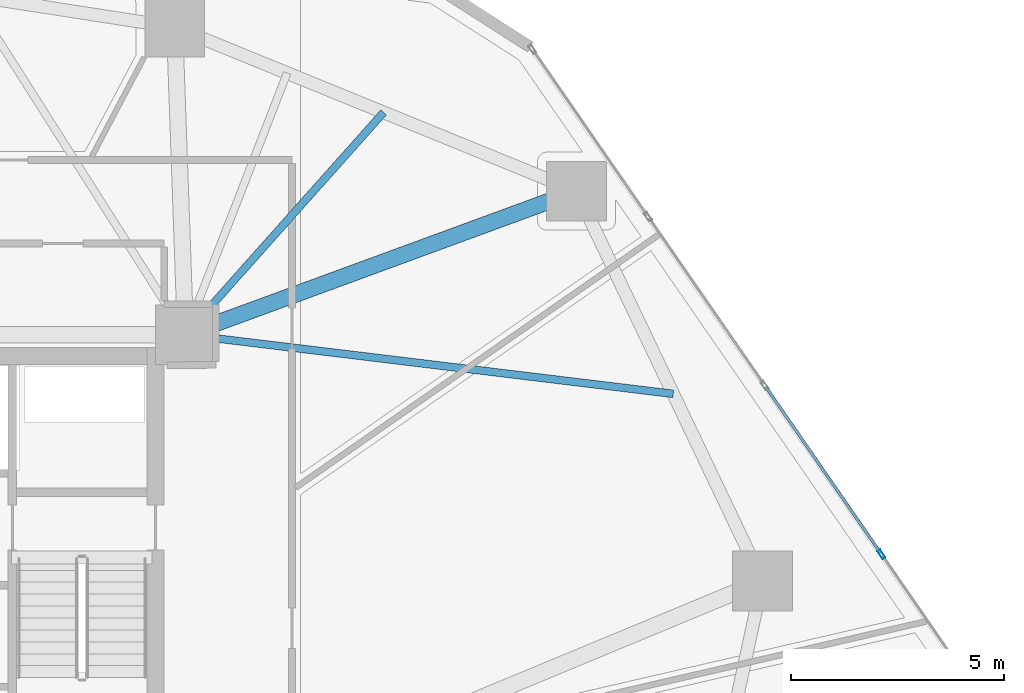
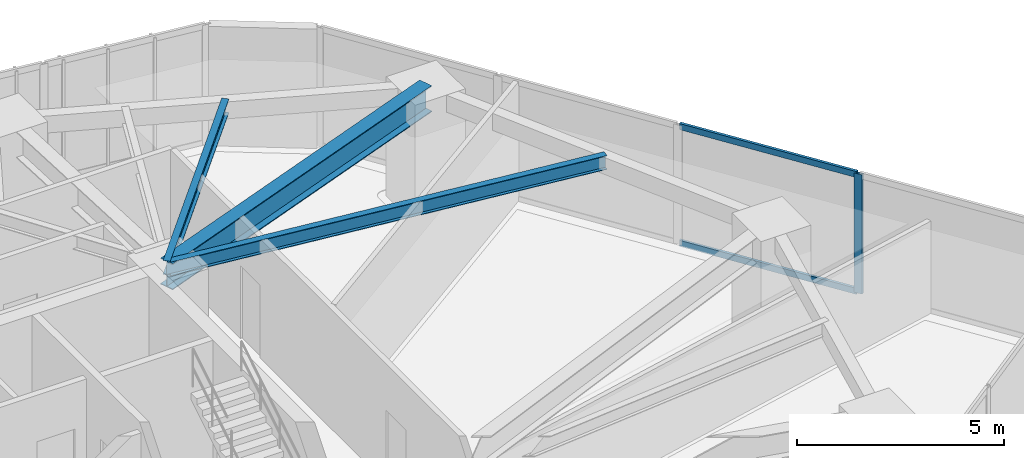
# One storey, part 12 of 23: 3 beams, 3 members, 1 element without a shape of its own.
"""IFC4 building model written with IfcOpenShell, lengths in metres."""

from ifc_helpers import new_model, si_unit, direction, frame, origin, origin_2d, place, context, subcontext, project, spatial, hollow_rectangle, i_section, extrude, source, transform, mapped, material, layer, layer_set, material_profile, profile_set, type_object, type_shapes, element, aggregate, save


model = new_model("IFC4")

# Units and contexts
model_context = context("Model", 3, precision=1e-05, world=origin(), true_north=direction((0.0, 1.0)))
body_context = subcontext(model_context, "Body", "Model", "MODEL_VIEW")
ifc_project = project(units=[si_unit("LENGTHUNIT", "METRE"), si_unit("AREAUNIT", "SQUARE_METRE"), si_unit("VOLUMEUNIT", "CUBIC_METRE"), si_unit("PLANEANGLEUNIT", "RADIAN"), si_unit("MASSUNIT", "GRAM", prefix="KILO")], contexts=[model_context])

# Site, building, storey
site_placement = place(None, origin())
site = spatial("IfcSite", under=ifc_project, at=site_placement, CompositionType="ELEMENT")
building_placement = place(site_placement, origin())
building = spatial("IfcBuilding", under=site, at=building_placement, Name="Talar Marvaseh", CompositionType="ELEMENT")
storey_placement = place(building_placement, frame((0.0, 0.0, 69.60009765625)))
storey = spatial("IfcBuildingStorey", under=building, at=storey_placement, Name="L17", CompositionType="ELEMENT", Elevation=69.60009765625)

# Beams
ifc_material_1 = material(Name="Steel S355", Category="steel")
ifc_material_profile_1 = material_profile(ifc_material_1, i_section(OverallWidth=0.381103515625, OverallDepth=0.77294921875, WebThickness=0.0166015625, FlangeThickness=0.027099609375, at=origin_2d()), Name="W760x257")
ifc_profile_set_1 = profile_set([ifc_material_profile_1], Name="Steel S355")
beam_type_1 = type_object("IfcBeamType", Name="Zone 1 Radial Floor Girder W760x257", PredefinedType="BEAM", material=ifc_profile_set_1)
beam_1_placement = place(storey_placement, frame((42.47705078125, 40.26904296875, 3.13330078125), z_axis=(-0.938736057616, -0.344636930887, 0.0), x_axis=(0.344636930887, -0.938736057616, 0.0)))
element("IfcBeam", 1, at=beam_1_placement, inside=storey, type_object=beam_type_1, Name="L17 Zone 1 Radial Floor Girder W760x257", PredefinedType="BEAM", context=body_context, shape_type="SweptSolid", body=[
    extrude(i_section(OverallWidth=0.381103515625, OverallDepth=0.77294921875, WebThickness=0.0166015625, FlangeThickness=0.027099609375, at=origin_2d()), origin(), (0.0, 0.0, 1.0), 9.77587890625),
])
ifc_material_profile_2 = material_profile(ifc_material_1, i_section(OverallWidth=0.179931640625, OverallDepth=0.4130859375, WebThickness=0.009765625, FlangeThickness=0.01611328125, at=origin_2d()), Name="W410x75")
ifc_profile_set_2 = profile_set([ifc_material_profile_2], Name="Steel S355")
beam_type_2 = type_object("IfcBeamType", Name="Zone 1 Secondary Floor Joist W410x75", PredefinedType="JOIST", material=ifc_profile_set_2)
beam_2_placement = place(storey_placement, frame((44.746337890625, 35.510986328125, 3.3134765625), z_axis=(-0.99271836771, 0.120458467577, 0.0), x_axis=(-0.120458467577, -0.99271836771, 0.0)))
element("IfcBeam", 2, at=beam_2_placement, inside=storey, type_object=beam_type_2, Name="L17 Zone 1 Secondary Floor Joist W410x75", PredefinedType="JOIST", context=body_context, shape_type="SweptSolid", body=[
    extrude(i_section(OverallWidth=0.179931640625, OverallDepth=0.4130859375, WebThickness=0.009765625, FlangeThickness=0.01611328125, at=origin_2d()), origin(), (0.0, 0.0, 1.0), 11.5302734375),
])
beam_3_placement = place(storey_placement, frame((37.9501953125, 42.116455078125, 3.3134765625), z_axis=(-0.665419195859, -0.746469888062, 0.0), x_axis=(0.746469888062, -0.665419195859, 0.0)))
element("IfcBeam", 3, at=beam_3_placement, inside=storey, type_object=beam_type_2, Name="L17 Zone 1 Secondary Floor Joist W410x75", PredefinedType="JOIST", context=body_context, shape_type="SweptSolid", body=[
    extrude(i_section(OverallWidth=0.179931640625, OverallDepth=0.4130859375, WebThickness=0.009765625, FlangeThickness=0.01611328125, at=origin_2d()), origin(), (0.0, 0.0, 1.0), 6.98828125),
])

# Curtain wall, members
ifc_material_2 = material(Name="Architectural Aluminium", Category="aluminium")
ifc_layer = layer(ifc_material_2, 0.219970703125)
ifc_layer_set = layer_set([ifc_layer], Name="Architectural Aluminium")
curtain_wall_type = type_object("IfcCurtainWallType", Name="Unitised Low-E Museum Curtain Wall Z1", PredefinedType="NOTDEFINED", material=ifc_layer_set)
curtain_wall_placement = place(storey_placement, origin())
curtain_wall = element("IfcCurtainWall", 4, at=curtain_wall_placement, inside=storey, type_object=curtain_wall_type, Name="L17 Unitised Low-E Museum Curtain Wall Z1", PredefinedType="NOTDEFINED")
ifc_material_profile_3 = material_profile(ifc_material_2, hollow_rectangle(XDim=0.080078125, YDim=0.219970703125, WallThickness=0.0048828125, at=origin_2d()), Name="RHS220x80x5")
ifc_profile_set_3 = profile_set([ifc_material_profile_3], Name="Architectural Aluminium")
member_type_1 = type_object("IfcMemberType", Name="Unitised Curtain Wall Heavy Mullion RHS220x80x5", PredefinedType="MULLION", material=ifc_profile_set_3)
shared_shape_1 = source(origin(), body_context, "Body", "SweptSolid", [
    extrude(hollow_rectangle(XDim=0.080078125, YDim=0.219970703125, WallThickness=0.0048828125, at=origin_2d()), origin(), (0.0, 0.0, 1.0), 3.52001953125),
])
type_shapes(member_type_1, [shared_shape_1])
member_1_placement = place(storey_placement, frame((49.633056640625, 31.745361328125, 0.0), z_axis=(0.0, 0.0, 1.0), x_axis=(0.822602682071, 0.568616590902, 0.0)))
member_1 = element("IfcMember", 5, at=member_1_placement, type_object=member_type_1, Name="CW-Z1 mullion 4", PredefinedType="MULLION", context=body_context, shape_type="MappedRepresentation", body=[
    mapped(shared_shape_1, transform((0.0, 0.0, 0.0), x_axis=(1.0, 0.0, 0.0), y_axis=(0.0, 1.0, 0.0), z_axis=(0.0, 0.0, 1.0), scale=1.0)),
])
ifc_material_profile_4 = material_profile(ifc_material_2, hollow_rectangle(XDim=0.074951171875, YDim=0.179931640625, WallThickness=0.0048828125, at=origin_2d()), Name="RHS180x75x5")
ifc_profile_set_4 = profile_set([ifc_material_profile_4], Name="Architectural Aluminium")
member_type_2 = type_object("IfcMemberType", Name="Unitised Curtain Wall Transom RHS180x75x5", PredefinedType="USERDEFINED", material=ifc_profile_set_4)
shared_shape_2 = source(origin(), body_context, "Body", "SweptSolid", [
    extrude(hollow_rectangle(XDim=0.074951171875, YDim=0.179931640625, WallThickness=0.0048828125, at=origin_2d()), origin(), (0.0, 0.0, 1.0), 4.73681640625),
])
type_shapes(member_type_2, [shared_shape_2])
member_2_placement = place(storey_placement, frame((46.9169921875, 35.6748046875, 0.037353515625), z_axis=(0.568609467849, -0.822607605771, 0.0), x_axis=(0.822607605771, 0.568609467849, 0.0)))
member_2 = element("IfcMember", 6, at=member_2_placement, type_object=member_type_2, Name="CW-Z1 transom 3.1", ObjectType="TRANSOM", PredefinedType="USERDEFINED", context=body_context, shape_type="MappedRepresentation", body=[
    mapped(shared_shape_2, transform((0.0, 0.0, 0.0), x_axis=(1.0, 0.0, 0.0), y_axis=(0.0, 1.0, 0.0), z_axis=(0.0, 0.0, 1.0), scale=1.0)),
])
member_3_placement = place(storey_placement, frame((46.9169921875, 35.6748046875, 3.482421875), z_axis=(0.568609467849, -0.822607605771, 0.0), x_axis=(0.822607605771, 0.568609467849, 0.0)))
member_3 = element("IfcMember", 7, at=member_3_placement, type_object=member_type_2, Name="CW-Z1 transom 3.2", ObjectType="TRANSOM", PredefinedType="USERDEFINED", context=body_context, shape_type="MappedRepresentation", body=[
    mapped(shared_shape_2, transform((0.0, 0.0, 0.0), x_axis=(1.0, 0.0, 0.0), y_axis=(0.0, 1.0, 0.0), z_axis=(0.0, 0.0, 1.0), scale=1.0)),
])
aggregate(curtain_wall, [member_1, member_2, member_3])

save(model, "model.ifc")
